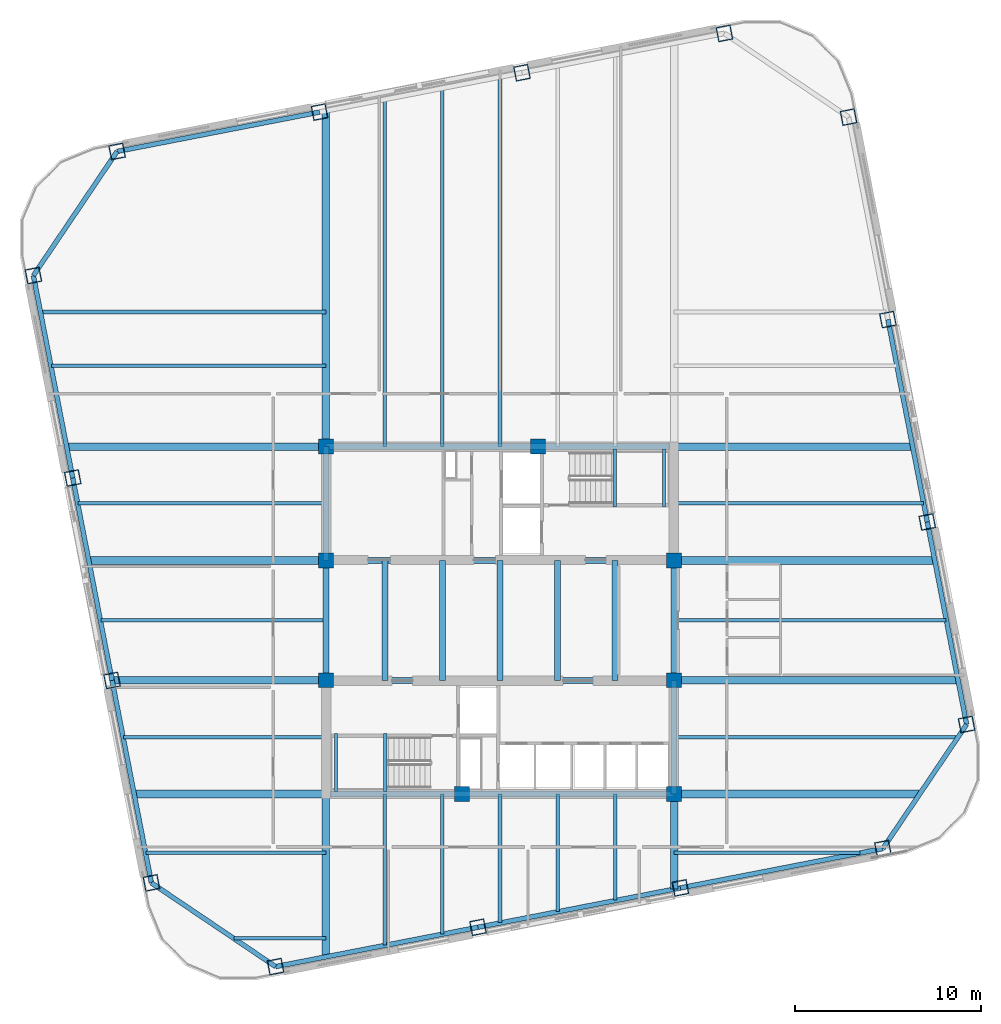
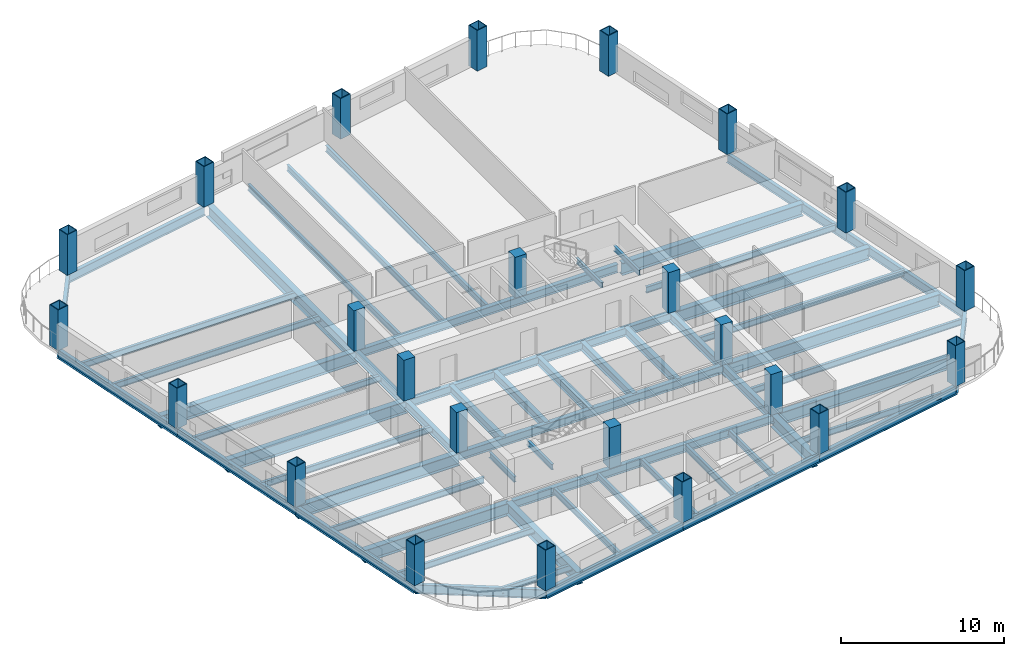
# One storey, part 1 of 9: 59 beams, 24 columns.
"""IFC4 building model written with IfcOpenShell, lengths in metres."""

from ifc_helpers import new_model, si_unit, direction, frame, origin, origin_2d, place, context, subcontext, project, spatial, rectangle, hollow_rectangle, i_section, extrude, material, material_profile, profile_set, type_object, element, save


model = new_model("IFC4")

# Units and contexts
model_context = context("Model", 3, precision=1e-05, world=origin(), true_north=direction((0.0, 1.0)))
body_context = subcontext(model_context, "Body", "Model", "MODEL_VIEW")
ifc_project = project(units=[si_unit("LENGTHUNIT", "METRE"), si_unit("AREAUNIT", "SQUARE_METRE"), si_unit("VOLUMEUNIT", "CUBIC_METRE"), si_unit("PLANEANGLEUNIT", "RADIAN"), si_unit("MASSUNIT", "GRAM", prefix="KILO")], contexts=[model_context])

# Site, building, storey
site_placement = place(None, origin())
site = spatial("IfcSite", under=ifc_project, at=site_placement, CompositionType="ELEMENT")
building_placement = place(site_placement, origin())
building = spatial("IfcBuilding", under=site, at=building_placement, Name="Qhalaya Broadcast Tower", CompositionType="ELEMENT")
storey_placement = place(building_placement, frame((0.0, 0.0, 134.14990234375)))
storey = spatial("IfcBuildingStorey", under=building, at=storey_placement, Name="L39", CompositionType="ELEMENT", Elevation=134.14990234375)

# Columns
ifc_material_1 = material(Name="Concrete C50/60", Category="concrete")
ifc_material_profile_1 = material_profile(ifc_material_1, rectangle(XDim=0.800048828125, YDim=0.800048828125, at=origin_2d()), Name="RC-COL 800x800")
ifc_profile_set_1 = profile_set([ifc_material_profile_1], Name="Concrete C50/60")
column_type_1 = type_object("IfcColumnType", Name="RC Upper Column C10", PredefinedType="COLUMN", material=ifc_profile_set_1)
for number, where, z_axis, x_axis, name in (
    (1, (-9.375, 9.949951171875, 0.0), (0.0, 0.0, 1.0), (1.0, 0.0, 0.0), "L39 Column COL-CC1"),
    (2, (2.050048828125, 9.949951171875, 0.0), (0.0, 0.0, 1.0), (1.0, 0.0, 0.0), "L39 Column COL-CC2"),
    (3, (-9.375, 3.824951171875, 0.0), (0.0, 0.0, 1.0), (1.0, 0.0, 0.0), "L39 Column COL-CC3"),
    (4, (9.375, 3.824951171875, 0.0), (0.0, 0.0, 1.0), (1.0, 0.0, 0.0), "L39 Column COL-CC4"),
    (5, (-9.375, -2.625, 0.0), (0.0, 0.0, 1.0), (1.0, 0.0, 0.0), "L39 Column COL-CC5"),
    (6, (9.375, -2.625, 0.0), (0.0, 0.0, 1.0), (1.0, 0.0, 0.0), "L39 Column COL-CC6"),
    (7, (-2.050048828125, -8.75, 0.0), (0.0, 0.0, 1.0), (1.0, 0.0, 0.0), "L39 Column COL-CC7"),
    (8, (9.375, -8.75, 0.0), (0.0, 0.0, 1.0), (1.0, 0.0, 0.0), "L39 Column COL-CC8"),
):
    element("IfcColumn", number, at=place(storey_placement, frame(where, z_axis=z_axis, x_axis=x_axis)), inside=storey, type_object=column_type_1, Name=name, PredefinedType="COLUMN", context=body_context, shape_type="SweptSolid", body=[
        extrude(rectangle(XDim=0.800048828125, YDim=0.800048828125, at=origin_2d()), origin(), (0.0, 0.0, 1.0), 3.050048828125),
    ])
ifc_material_2 = material(Name="Structural Steel ASTM A572 Grade 50", Category="steel")
ifc_material_profile_2 = material_profile(ifc_material_2, hollow_rectangle(XDim=0.800048828125, YDim=0.800048828125, WallThickness=0.050048828125, at=origin_2d()), Name="BOX 800x800x50")
ifc_profile_set_2 = profile_set([ifc_material_profile_2], Name="Structural Steel ASTM A572 Grade 50")
column_type_2 = type_object("IfcColumnType", Name="Steel Box Column C03", PredefinedType="COLUMN", material=ifc_profile_set_2)
for number, where, z_axis, x_axis, name in (
    (9, (-12.07958984375, -18.036376953125, 0.0), (0.0, 0.0, 1.0), (0.981627183448, 0.190808995377, 0.0), "L39 Column COL-EX01"),
    (10, (-1.183349609375, -15.91845703125, 0.0), (0.0, 0.0, 1.0), (0.981627183448, 0.190808995377, 0.0), "L39 Column COL-EX02"),
    (11, (9.712646484375, -13.80029296875, 0.0), (0.0, 0.0, 1.0), (0.981627183448, 0.190808995377, 0.0), "L39 Column COL-EX03"),
    (12, (20.608642578125, -11.682373046875, 0.0), (0.0, 0.0, 1.0), (0.981627183448, 0.190808995377, 0.0), "L39 Column COL-EX04"),
    (13, (25.1162109375, -4.99951171875, 0.0), (0.0, 0.0, 1.0), (-0.190808995377, 0.981627183448, 0.0), "L39 Column COL-EX05"),
    (14, (22.998291015625, 5.896484375, 0.0), (0.0, 0.0, 1.0), (-0.190808995377, 0.981627183448, 0.0), "L39 Column COL-EX06"),
    (15, (20.88037109375, 16.79248046875, 0.0), (0.0, 0.0, 1.0), (-0.190808995377, 0.981627183448, 0.0), "L39 Column COL-EX07"),
    (16, (18.762451171875, 27.688720703125, 0.0), (0.0, 0.0, 1.0), (-0.190808995377, 0.981627183448, 0.0), "L39 Column COL-EX08"),
    (17, (12.07958984375, 32.1962890625, 0.0), (0.0, 0.0, 1.0), (0.981627183448, 0.190808995377, 0.0), "L39 Column COL-EX09"),
    (18, (1.183349609375, 30.078369140625, 0.0), (0.0, 0.0, 1.0), (0.981627183448, 0.190808995377, 0.0), "L39 Column COL-EX10"),
    (19, (-9.712646484375, 27.96044921875, 0.0), (0.0, 0.0, 1.0), (0.981627183448, 0.190808995377, 0.0), "L39 Column COL-EX11"),
    (20, (-20.608642578125, 25.84228515625, 0.0), (0.0, 0.0, 1.0), (0.981627183448, 0.190808995377, 0.0), "L39 Column COL-EX12"),
    (21, (-25.1162109375, 19.159423828125, 0.0), (0.0, 0.0, 1.0), (-0.190808995377, 0.981627183448, 0.0), "L39 Column COL-EX13"),
    (22, (-22.998291015625, 8.263427734375, 0.0), (0.0, 0.0, 1.0), (-0.190808995377, 0.981627183448, 0.0), "L39 Column COL-EX14"),
    (23, (-20.88037109375, -2.632568359375, 0.0), (0.0, 0.0, 1.0), (-0.190808995377, 0.981627183448, 0.0), "L39 Column COL-EX15"),
    (24, (-18.762451171875, -13.52880859375, 0.0), (0.0, 0.0, 1.0), (-0.190808995377, 0.981627183448, 0.0), "L39 Column COL-EX16"),
):
    element("IfcColumn", number, at=place(storey_placement, frame(where, z_axis=z_axis, x_axis=x_axis)), inside=storey, type_object=column_type_2, Name=name, PredefinedType="COLUMN", context=body_context, shape_type="SweptSolid", body=[
        extrude(hollow_rectangle(XDim=0.800048828125, YDim=0.800048828125, WallThickness=0.050048828125, at=origin_2d()), origin(), (0.0, 0.0, 1.0), 3.050048828125),
    ])

# Beams
ifc_material_3 = material(Name="Structural Steel ASTM A992 Grade 50", Category="steel")
ifc_material_profile_3 = material_profile(ifc_material_3, i_section(OverallWidth=0.19189453125, OverallDepth=0.462890625, WebThickness=0.010498046875, FlangeThickness=0.017578125, at=origin_2d()), Name="W18X60")
ifc_profile_set_3 = profile_set([ifc_material_profile_3], Name="Structural Steel ASTM A992 Grade 50")
beam_type_1 = type_object("IfcBeamType", Name="Composite Floor Joist J03", PredefinedType="JOIST", material=ifc_profile_set_3)
beam_1_placement = place(storey_placement, frame((-6.199951171875, -16.873046875, -0.451416015625), z_axis=(0.0, 1.0, 0.0), x_axis=(-1.0, 0.0, 0.0)))
element("IfcBeam", 25, at=beam_1_placement, inside=storey, type_object=beam_type_1, Name="L39 J03 L39-JNS1-1", PredefinedType="JOIST", context=body_context, shape_type="SweptSolid", body=[
    extrude(i_section(OverallWidth=0.19189453125, OverallDepth=0.462890625, WebThickness=0.010498046875, FlangeThickness=0.017578125, at=origin_2d()), origin(), (0.0, 0.0, 1.0), 8.123046875),
])
beam_2_placement = place(storey_placement, frame((-6.199951171875, 9.949951171875, -0.451416015625), z_axis=(0.0, 1.0, 0.0), x_axis=(-1.0, 0.0, 0.0)))
element("IfcBeam", 26, at=beam_2_placement, inside=storey, type_object=beam_type_1, Name="L39 J03 L39-JNN1-1", PredefinedType="JOIST", context=body_context, shape_type="SweptSolid", body=[
    extrude(i_section(OverallWidth=0.19189453125, OverallDepth=0.462890625, WebThickness=0.010498046875, FlangeThickness=0.017578125, at=origin_2d()), origin(), (0.0, 0.0, 1.0), 18.6728515625),
])
beam_3_placement = place(storey_placement, frame((-3.10009765625, -16.2705078125, -0.451416015625), z_axis=(0.0, 1.0, 0.0), x_axis=(-1.0, 0.0, 0.0)))
element("IfcBeam", 27, at=beam_3_placement, inside=storey, type_object=beam_type_1, Name="L39 J03 L39-JNS2-1", PredefinedType="JOIST", context=body_context, shape_type="SweptSolid", body=[
    extrude(i_section(OverallWidth=0.19189453125, OverallDepth=0.462890625, WebThickness=0.010498046875, FlangeThickness=0.017578125, at=origin_2d()), origin(), (0.0, 0.0, 1.0), 7.5205078125),
])
beam_4_placement = place(storey_placement, frame((-3.10009765625, 9.949951171875, -0.451416015625), z_axis=(0.0, 1.0, 0.0), x_axis=(-1.0, 0.0, 0.0)))
element("IfcBeam", 28, at=beam_4_placement, inside=storey, type_object=beam_type_1, Name="L39 J03 L39-JNN2-1", PredefinedType="JOIST", context=body_context, shape_type="SweptSolid", body=[
    extrude(i_section(OverallWidth=0.19189453125, OverallDepth=0.462890625, WebThickness=0.010498046875, FlangeThickness=0.017578125, at=origin_2d()), origin(), (0.0, 0.0, 1.0), 19.275390625),
])
beam_5_placement = place(storey_placement, frame((0.0, -15.66796875, -0.451416015625), z_axis=(0.0, 1.0, 0.0), x_axis=(-1.0, 0.0, 0.0)))
element("IfcBeam", 29, at=beam_5_placement, inside=storey, type_object=beam_type_1, Name="L39 J03 L39-JNS3-1", PredefinedType="JOIST", context=body_context, shape_type="SweptSolid", body=[
    extrude(i_section(OverallWidth=0.19189453125, OverallDepth=0.462890625, WebThickness=0.010498046875, FlangeThickness=0.017578125, at=origin_2d()), origin(), (0.0, 0.0, 1.0), 6.91796875),
])
beam_6_placement = place(storey_placement, frame((0.0, 9.949951171875, -0.451416015625), z_axis=(0.0, 1.0, 0.0), x_axis=(-1.0, 0.0, 0.0)))
element("IfcBeam", 30, at=beam_6_placement, inside=storey, type_object=beam_type_1, Name="L39 J03 L39-JNN3-1", PredefinedType="JOIST", context=body_context, shape_type="SweptSolid", body=[
    extrude(i_section(OverallWidth=0.19189453125, OverallDepth=0.462890625, WebThickness=0.010498046875, FlangeThickness=0.017578125, at=origin_2d()), origin(), (0.0, 0.0, 1.0), 19.8779296875),
])
beam_7_placement = place(storey_placement, frame((3.10009765625, -15.0654296875, -0.451416015625), z_axis=(0.0, 1.0, 0.0), x_axis=(-1.0, 0.0, 0.0)))
element("IfcBeam", 31, at=beam_7_placement, inside=storey, type_object=beam_type_1, Name="L39 J03 L39-JNS4-1", PredefinedType="JOIST", context=body_context, shape_type="SweptSolid", body=[
    extrude(i_section(OverallWidth=0.19189453125, OverallDepth=0.462890625, WebThickness=0.010498046875, FlangeThickness=0.017578125, at=origin_2d()), origin(), (0.0, 0.0, 1.0), 6.3154296875),
])
beam_8_placement = place(storey_placement, frame((6.199951171875, -14.462890625, -0.451416015625), z_axis=(0.0, 1.0, 0.0), x_axis=(-1.0, 0.0, 0.0)))
element("IfcBeam", 32, at=beam_8_placement, inside=storey, type_object=beam_type_1, Name="L39 J03 L39-JNS5-1", PredefinedType="JOIST", context=body_context, shape_type="SweptSolid", body=[
    extrude(i_section(OverallWidth=0.19189453125, OverallDepth=0.462890625, WebThickness=0.010498046875, FlangeThickness=0.017578125, at=origin_2d()), origin(), (0.0, 0.0, 1.0), 5.712890625),
])
beam_9_placement = place(storey_placement, frame((-14.3212890625, -16.5, -0.451416015625), z_axis=(1.0, 0.0, 0.0), x_axis=(0.0, 1.0, 0.0)))
element("IfcBeam", 33, at=beam_9_placement, inside=storey, type_object=beam_type_1, Name="L39 J03 L39-JWE1W-1", PredefinedType="JOIST", context=body_context, shape_type="SweptSolid", body=[
    extrude(i_section(OverallWidth=0.19189453125, OverallDepth=0.462890625, WebThickness=0.010498046875, FlangeThickness=0.017578125, at=origin_2d()), origin(), (0.0, 0.0, 1.0), 4.9462890625),
])
beam_10_placement = place(storey_placement, frame((-19.05859375, -11.89990234375, -0.451416015625), z_axis=(1.0, 0.0, 0.0), x_axis=(0.0, 1.0, 0.0)))
element("IfcBeam", 34, at=beam_10_placement, inside=storey, type_object=beam_type_1, Name="L39 J03 L39-JWE2W-1", PredefinedType="JOIST", context=body_context, shape_type="SweptSolid", body=[
    extrude(i_section(OverallWidth=0.19189453125, OverallDepth=0.462890625, WebThickness=0.010498046875, FlangeThickness=0.017578125, at=origin_2d()), origin(), (0.0, 0.0, 1.0), 9.68359375),
])
beam_11_placement = place(storey_placement, frame((9.375, -11.89990234375, -0.451416015625), z_axis=(1.0, 0.0, 0.0), x_axis=(0.0, 1.0, 0.0)))
element("IfcBeam", 35, at=beam_11_placement, inside=storey, type_object=beam_type_1, Name="L39 J03 L39-JWE2E-1", PredefinedType="JOIST", context=body_context, shape_type="SweptSolid", body=[
    extrude(i_section(OverallWidth=0.19189453125, OverallDepth=0.462890625, WebThickness=0.010498046875, FlangeThickness=0.017578125, at=origin_2d()), origin(), (0.0, 0.0, 1.0), 10.009521484375),
])
beam_12_placement = place(storey_placement, frame((-20.263916015625, -5.699951171875, -0.451416015625), z_axis=(1.0, 0.0, 0.0), x_axis=(0.0, 1.0, 0.0)))
element("IfcBeam", 36, at=beam_12_placement, inside=storey, type_object=beam_type_1, Name="L39 J03 L39-JWE3W-1", PredefinedType="JOIST", context=body_context, shape_type="SweptSolid", body=[
    extrude(i_section(OverallWidth=0.19189453125, OverallDepth=0.462890625, WebThickness=0.010498046875, FlangeThickness=0.017578125, at=origin_2d()), origin(), (0.0, 0.0, 1.0), 10.888916015625),
])
beam_13_placement = place(storey_placement, frame((9.375, -5.699951171875, -0.451416015625), z_axis=(1.0, 0.0, 0.0), x_axis=(0.0, 1.0, 0.0)))
element("IfcBeam", 37, at=beam_13_placement, inside=storey, type_object=beam_type_1, Name="L39 J03 L39-JWE3E-1", PredefinedType="JOIST", context=body_context, shape_type="SweptSolid", body=[
    extrude(i_section(OverallWidth=0.19189453125, OverallDepth=0.462890625, WebThickness=0.010498046875, FlangeThickness=0.017578125, at=origin_2d()), origin(), (0.0, 0.0, 1.0), 15.24462890625),
])
beam_14_placement = place(storey_placement, frame((-21.48828125, 0.60009765625, -0.451416015625), z_axis=(1.0, 0.0, 0.0), x_axis=(0.0, 1.0, 0.0)))
element("IfcBeam", 38, at=beam_14_placement, inside=storey, type_object=beam_type_1, Name="L39 J03 L39-JWE4W-1", PredefinedType="JOIST", context=body_context, shape_type="SweptSolid", body=[
    extrude(i_section(OverallWidth=0.19189453125, OverallDepth=0.462890625, WebThickness=0.010498046875, FlangeThickness=0.017578125, at=origin_2d()), origin(), (0.0, 0.0, 1.0), 12.11328125),
])
beam_15_placement = place(storey_placement, frame((9.375, 0.60009765625, -0.451416015625), z_axis=(1.0, 0.0, 0.0), x_axis=(0.0, 1.0, 0.0)))
element("IfcBeam", 39, at=beam_15_placement, inside=storey, type_object=beam_type_1, Name="L39 J03 L39-JWE4E-1", PredefinedType="JOIST", context=body_context, shape_type="SweptSolid", body=[
    extrude(i_section(OverallWidth=0.19189453125, OverallDepth=0.462890625, WebThickness=0.010498046875, FlangeThickness=0.017578125, at=origin_2d()), origin(), (0.0, 0.0, 1.0), 14.632568359375),
])
beam_16_placement = place(storey_placement, frame((-22.712890625, 6.89990234375, -0.451416015625), z_axis=(1.0, 0.0, 0.0), x_axis=(0.0, 1.0, 0.0)))
element("IfcBeam", 40, at=beam_16_placement, inside=storey, type_object=beam_type_1, Name="L39 J03 L39-JWE5W-1", PredefinedType="JOIST", context=body_context, shape_type="SweptSolid", body=[
    extrude(i_section(OverallWidth=0.19189453125, OverallDepth=0.462890625, WebThickness=0.010498046875, FlangeThickness=0.017578125, at=origin_2d()), origin(), (0.0, 0.0, 1.0), 13.337890625),
])
beam_17_placement = place(storey_placement, frame((9.375, 6.89990234375, -0.451416015625), z_axis=(1.0, 0.0, 0.0), x_axis=(0.0, 1.0, 0.0)))
element("IfcBeam", 41, at=beam_17_placement, inside=storey, type_object=beam_type_1, Name="L39 J03 L39-JWE5E-1", PredefinedType="JOIST", context=body_context, shape_type="SweptSolid", body=[
    extrude(i_section(OverallWidth=0.19189453125, OverallDepth=0.462890625, WebThickness=0.010498046875, FlangeThickness=0.017578125, at=origin_2d()), origin(), (0.0, 0.0, 1.0), 13.407958984375),
])
beam_18_placement = place(storey_placement, frame((-24.1513671875, 14.300048828125, -0.451416015625), z_axis=(1.0, 0.0, 0.0), x_axis=(0.0, 1.0, 0.0)))
element("IfcBeam", 42, at=beam_18_placement, inside=storey, type_object=beam_type_1, Name="L39 J03 L39-JWE6W-1", PredefinedType="JOIST", context=body_context, shape_type="SweptSolid", body=[
    extrude(i_section(OverallWidth=0.19189453125, OverallDepth=0.462890625, WebThickness=0.010498046875, FlangeThickness=0.017578125, at=origin_2d()), origin(), (0.0, 0.0, 1.0), 14.7763671875),
])
beam_19_placement = place(storey_placement, frame((-24.715087890625, 17.199951171875, -0.451416015625), z_axis=(1.0, 0.0, 0.0), x_axis=(0.0, 1.0, 0.0)))
element("IfcBeam", 43, at=beam_19_placement, inside=storey, type_object=beam_type_1, Name="L39 J03 L39-JWE7W-1", PredefinedType="JOIST", context=body_context, shape_type="SweptSolid", body=[
    extrude(i_section(OverallWidth=0.19189453125, OverallDepth=0.462890625, WebThickness=0.010498046875, FlangeThickness=0.017578125, at=origin_2d()), origin(), (0.0, 0.0, 1.0), 15.340087890625),
])
ifc_material_profile_4 = material_profile(ifc_material_3, i_section(OverallWidth=0.323974609375, OverallDepth=0.612060546875, WebThickness=0.0126953125, FlangeThickness=0.01904296875, at=origin_2d()), Name="W24X104")
ifc_profile_set_4 = profile_set([ifc_material_profile_4], Name="Structural Steel ASTM A992 Grade 50")
beam_type_2 = type_object("IfcBeamType", Name="Core Frame Tie Beam B04", PredefinedType="BEAM", material=ifc_profile_set_4)
beam_20_placement = place(storey_placement, frame((-9.375, 3.824951171875, -0.52587890625), z_axis=(1.0, 0.0, 0.0), x_axis=(0.0, 1.0, 0.0)))
element("IfcBeam", 44, at=beam_20_placement, inside=storey, type_object=beam_type_2, Name="L39 B04 L39-CCN1", PredefinedType="BEAM", context=body_context, shape_type="SweptSolid", body=[
    extrude(i_section(OverallWidth=0.323974609375, OverallDepth=0.612060546875, WebThickness=0.0126953125, FlangeThickness=0.01904296875, at=origin_2d()), origin(), (0.0, 0.0, 1.0), 18.75),
])
beam_21_placement = place(storey_placement, frame((-9.375, 3.824951171875, -0.52587890625), z_axis=(0.0, 1.0, 0.0), x_axis=(-1.0, 0.0, 0.0)))
element("IfcBeam", 45, at=beam_21_placement, inside=storey, type_object=beam_type_2, Name="L39 B04 L39-CCN2", PredefinedType="BEAM", context=body_context, shape_type="SweptSolid", body=[
    extrude(i_section(OverallWidth=0.323974609375, OverallDepth=0.612060546875, WebThickness=0.0126953125, FlangeThickness=0.01904296875, at=origin_2d()), origin(), (0.0, 0.0, 1.0), 6.125),
])
beam_22_placement = place(storey_placement, frame((-9.375, 9.949951171875, -0.52587890625), z_axis=(1.0, 0.0, 0.0), x_axis=(0.0, 1.0, 0.0)))
element("IfcBeam", 46, at=beam_22_placement, inside=storey, type_object=beam_type_2, Name="L39 B04 L39-CCN3", PredefinedType="BEAM", context=body_context, shape_type="SweptSolid", body=[
    extrude(i_section(OverallWidth=0.323974609375, OverallDepth=0.612060546875, WebThickness=0.0126953125, FlangeThickness=0.01904296875, at=origin_2d()), origin(), (0.0, 0.0, 1.0), 18.4951171875),
])
beam_23_placement = place(storey_placement, frame((-9.375, -2.625, -0.52587890625), z_axis=(1.0, 0.0, 0.0), x_axis=(0.0, 1.0, 0.0)))
element("IfcBeam", 47, at=beam_23_placement, inside=storey, type_object=beam_type_2, Name="L39 B04 L39-CCS1", PredefinedType="BEAM", context=body_context, shape_type="SweptSolid", body=[
    extrude(i_section(OverallWidth=0.323974609375, OverallDepth=0.612060546875, WebThickness=0.0126953125, FlangeThickness=0.01904296875, at=origin_2d()), origin(), (0.0, 0.0, 1.0), 18.75),
])
beam_24_placement = place(storey_placement, frame((9.375, -8.75, -0.52587890625), z_axis=(0.0, 1.0, 0.0), x_axis=(-1.0, 0.0, 0.0)))
element("IfcBeam", 48, at=beam_24_placement, inside=storey, type_object=beam_type_2, Name="L39 B04 L39-CCS2", PredefinedType="BEAM", context=body_context, shape_type="SweptSolid", body=[
    extrude(i_section(OverallWidth=0.323974609375, OverallDepth=0.612060546875, WebThickness=0.0126953125, FlangeThickness=0.01904296875, at=origin_2d()), origin(), (0.0, 0.0, 1.0), 6.125),
])
beam_25_placement = place(storey_placement, frame((-9.1201171875, -8.75, -0.52587890625), z_axis=(1.0, 0.0, 0.0), x_axis=(0.0, 1.0, 0.0)))
element("IfcBeam", 49, at=beam_25_placement, inside=storey, type_object=beam_type_2, Name="L39 B04 L39-CCS3", PredefinedType="BEAM", context=body_context, shape_type="SweptSolid", body=[
    extrude(i_section(OverallWidth=0.323974609375, OverallDepth=0.612060546875, WebThickness=0.0126953125, FlangeThickness=0.01904296875, at=origin_2d()), origin(), (0.0, 0.0, 1.0), 18.4951171875),
])
for number, where, z_axis, x_axis, name in (
    (50, (-9.375, -2.625, -0.52587890625), (0.0, 1.0, 0.0), (-1.0, 0.0, 0.0), "L39 B04 L39-CCW"),
    (51, (9.375, -2.625, -0.52587890625), (0.0, 1.0, 0.0), (-1.0, 0.0, 0.0), "L39 B04 L39-CCE"),
    (52, (-6.199951171875, -2.625, -0.52587890625), (0.0, 1.0, 0.0), (-1.0, 0.0, 0.0), "L39 B04 L39-JC1-1"),
    (53, (-3.10009765625, -2.625, -0.52587890625), (0.0, 1.0, 0.0), (-1.0, 0.0, 0.0), "L39 B04 L39-JC2-1"),
    (54, (0.0, -2.625, -0.52587890625), (0.0, 1.0, 0.0), (-1.0, 0.0, 0.0), "L39 B04 L39-JC3-1"),
    (55, (3.10009765625, -2.625, -0.52587890625), (0.0, 1.0, 0.0), (-1.0, 0.0, 0.0), "L39 B04 L39-JC4-1"),
    (56, (6.199951171875, -2.625, -0.52587890625), (0.0, 1.0, 0.0), (-1.0, 0.0, 0.0), "L39 B04 L39-JC5-1"),
):
    element("IfcBeam", number, at=place(storey_placement, frame(where, z_axis=z_axis, x_axis=x_axis)), inside=storey, type_object=beam_type_2, Name=name, PredefinedType="BEAM", context=body_context, shape_type="SweptSolid", body=[
        extrude(i_section(OverallWidth=0.323974609375, OverallDepth=0.612060546875, WebThickness=0.0126953125, FlangeThickness=0.01904296875, at=origin_2d()), origin(), (0.0, 0.0, 1.0), 6.449951171875),
    ])
ifc_material_profile_5 = material_profile(ifc_material_3, i_section(OverallWidth=0.4189453125, OverallDepth=0.927001953125, WebThickness=0.019287109375, FlangeThickness=0.031982421875, at=origin_2d()), Name="W36X231")
ifc_profile_set_5 = profile_set([ifc_material_profile_5], Name="Structural Steel ASTM A992 Grade 50")
beam_type_3 = type_object("IfcBeamType", Name="Mid Block Primary Girder PG3", PredefinedType="USERDEFINED", material=ifc_profile_set_5)
beam_26_placement = place(storey_placement, frame((-9.375, -17.490234375, -0.683349609375), z_axis=(0.0, 1.0, 0.0), x_axis=(-1.0, 0.0, 0.0)))
element("IfcBeam", 57, at=beam_26_placement, inside=storey, type_object=beam_type_3, Name="L39 PG3 L39-PGXS1-1", ObjectType="GIRDER", PredefinedType="USERDEFINED", context=body_context, shape_type="SweptSolid", body=[
    extrude(i_section(OverallWidth=0.4189453125, OverallDepth=0.927001953125, WebThickness=0.019287109375, FlangeThickness=0.031982421875, at=origin_2d()), origin(), (0.0, 0.0, 1.0), 8.740234375),
])
beam_27_placement = place(storey_placement, frame((-9.375, 9.949951171875, -0.683349609375), z_axis=(0.0, 1.0, 0.0), x_axis=(-1.0, 0.0, 0.0)))
element("IfcBeam", 58, at=beam_27_placement, inside=storey, type_object=beam_type_3, Name="L39 PG3 L39-PGXN1-1", ObjectType="GIRDER", PredefinedType="USERDEFINED", context=body_context, shape_type="SweptSolid", body=[
    extrude(i_section(OverallWidth=0.4189453125, OverallDepth=0.927001953125, WebThickness=0.019287109375, FlangeThickness=0.031982421875, at=origin_2d()), origin(), (0.0, 0.0, 1.0), 18.0556640625),
])
beam_28_placement = place(storey_placement, frame((9.375, -13.845703125, -0.683349609375), z_axis=(0.0, 1.0, 0.0), x_axis=(-1.0, 0.0, 0.0)))
element("IfcBeam", 59, at=beam_28_placement, inside=storey, type_object=beam_type_3, Name="L39 PG3 L39-PGXS2-1", ObjectType="GIRDER", PredefinedType="USERDEFINED", context=body_context, shape_type="SweptSolid", body=[
    extrude(i_section(OverallWidth=0.4189453125, OverallDepth=0.927001953125, WebThickness=0.019287109375, FlangeThickness=0.031982421875, at=origin_2d()), origin(), (0.0, 0.0, 1.0), 5.095703125),
])
beam_29_placement = place(storey_placement, frame((-19.6708984375, -8.75, -0.683349609375), z_axis=(1.0, 0.0, 0.0), x_axis=(0.0, 1.0, 0.0)))
element("IfcBeam", 60, at=beam_29_placement, inside=storey, type_object=beam_type_3, Name="L39 PG3 L39-PGYW1-1", ObjectType="GIRDER", PredefinedType="USERDEFINED", context=body_context, shape_type="SweptSolid", body=[
    extrude(i_section(OverallWidth=0.4189453125, OverallDepth=0.927001953125, WebThickness=0.019287109375, FlangeThickness=0.031982421875, at=origin_2d()), origin(), (0.0, 0.0, 1.0), 10.2958984375),
])
beam_30_placement = place(storey_placement, frame((9.375, -8.75, -0.683349609375), z_axis=(1.0, 0.0, 0.0), x_axis=(0.0, 1.0, 0.0)))
element("IfcBeam", 61, at=beam_30_placement, inside=storey, type_object=beam_type_3, Name="L39 PG3 L39-PGYE1-1", ObjectType="GIRDER", PredefinedType="USERDEFINED", context=body_context, shape_type="SweptSolid", body=[
    extrude(i_section(OverallWidth=0.4189453125, OverallDepth=0.927001953125, WebThickness=0.019287109375, FlangeThickness=0.031982421875, at=origin_2d()), origin(), (0.0, 0.0, 1.0), 13.1875),
])
beam_31_placement = place(storey_placement, frame((-20.861572265625, -2.625, -0.683349609375), z_axis=(1.0, 0.0, 0.0), x_axis=(0.0, 1.0, 0.0)))
element("IfcBeam", 62, at=beam_31_placement, inside=storey, type_object=beam_type_3, Name="L39 PG3 L39-PGYW2-1", ObjectType="GIRDER", PredefinedType="USERDEFINED", context=body_context, shape_type="SweptSolid", body=[
    extrude(i_section(OverallWidth=0.4189453125, OverallDepth=0.927001953125, WebThickness=0.019287109375, FlangeThickness=0.031982421875, at=origin_2d()), origin(), (0.0, 0.0, 1.0), 11.486572265625),
])
beam_32_placement = place(storey_placement, frame((9.375, -2.625, -0.683349609375), z_axis=(1.0, 0.0, 0.0), x_axis=(0.0, 1.0, 0.0)))
element("IfcBeam", 63, at=beam_32_placement, inside=storey, type_object=beam_type_3, Name="L39 PG3 L39-PGYE2-1", ObjectType="GIRDER", PredefinedType="USERDEFINED", context=body_context, shape_type="SweptSolid", body=[
    extrude(i_section(OverallWidth=0.4189453125, OverallDepth=0.927001953125, WebThickness=0.019287109375, FlangeThickness=0.031982421875, at=origin_2d()), origin(), (0.0, 0.0, 1.0), 15.259521484375),
])
beam_33_placement = place(storey_placement, frame((-22.115234375, 3.824951171875, -0.683349609375), z_axis=(1.0, 0.0, 0.0), x_axis=(0.0, 1.0, 0.0)))
element("IfcBeam", 64, at=beam_33_placement, inside=storey, type_object=beam_type_3, Name="L39 PG3 L39-PGYW3-1", ObjectType="GIRDER", PredefinedType="USERDEFINED", context=body_context, shape_type="SweptSolid", body=[
    extrude(i_section(OverallWidth=0.4189453125, OverallDepth=0.927001953125, WebThickness=0.019287109375, FlangeThickness=0.031982421875, at=origin_2d()), origin(), (0.0, 0.0, 1.0), 12.740234375),
])
beam_34_placement = place(storey_placement, frame((9.375, 3.824951171875, -0.683349609375), z_axis=(1.0, 0.0, 0.0), x_axis=(0.0, 1.0, 0.0)))
element("IfcBeam", 65, at=beam_34_placement, inside=storey, type_object=beam_type_3, Name="L39 PG3 L39-PGYE3-1", ObjectType="GIRDER", PredefinedType="USERDEFINED", context=body_context, shape_type="SweptSolid", body=[
    extrude(i_section(OverallWidth=0.4189453125, OverallDepth=0.927001953125, WebThickness=0.019287109375, FlangeThickness=0.031982421875, at=origin_2d()), origin(), (0.0, 0.0, 1.0), 14.005615234375),
])
beam_35_placement = place(storey_placement, frame((-23.305908203125, 9.949951171875, -0.683349609375), z_axis=(1.0, 0.0, 0.0), x_axis=(0.0, 1.0, 0.0)))
element("IfcBeam", 66, at=beam_35_placement, inside=storey, type_object=beam_type_3, Name="L39 PG3 L39-PGYW4-1", ObjectType="GIRDER", PredefinedType="USERDEFINED", context=body_context, shape_type="SweptSolid", body=[
    extrude(i_section(OverallWidth=0.4189453125, OverallDepth=0.927001953125, WebThickness=0.019287109375, FlangeThickness=0.031982421875, at=origin_2d()), origin(), (0.0, 0.0, 1.0), 13.930908203125),
])
beam_36_placement = place(storey_placement, frame((9.375, 9.949951171875, -0.683349609375), z_axis=(1.0, 0.0, 0.0), x_axis=(0.0, 1.0, 0.0)))
element("IfcBeam", 67, at=beam_36_placement, inside=storey, type_object=beam_type_3, Name="L39 PG3 L39-PGYE4-1", ObjectType="GIRDER", PredefinedType="USERDEFINED", context=body_context, shape_type="SweptSolid", body=[
    extrude(i_section(OverallWidth=0.4189453125, OverallDepth=0.927001953125, WebThickness=0.019287109375, FlangeThickness=0.031982421875, at=origin_2d()), origin(), (0.0, 0.0, 1.0), 12.815185546875),
])
ifc_material_profile_6 = material_profile(ifc_material_3, i_section(OverallWidth=0.25390625, OverallDepth=0.68310546875, WebThickness=0.012451171875, FlangeThickness=0.01904296875, at=origin_2d()), Name="W27X94")
ifc_profile_set_6 = profile_set([ifc_material_profile_6], Name="Structural Steel ASTM A992 Grade 50")
beam_type_4 = type_object("IfcBeamType", Name="Perimeter Ring Spandrel Beam SP1", PredefinedType="SPANDREL", material=ifc_profile_set_6)
beam_37_placement = place(storey_placement, frame((-12.07958984375, -18.036376953125, -0.5615234375), z_axis=(0.98162878008, 0.190800781233, 0.0), x_axis=(-0.190800781233, 0.98162878008, 0.0)))
element("IfcBeam", 68, at=beam_37_placement, inside=storey, type_object=beam_type_4, Name="L39 SP1 L39-SPR-01", PredefinedType="SPANDREL", context=body_context, shape_type="SweptSolid", body=[
    extrude(i_section(OverallWidth=0.25390625, OverallDepth=0.68310546875, WebThickness=0.012451171875, FlangeThickness=0.01904296875, at=origin_2d()), origin(), (0.0, 0.0, 1.0), 11.10009765625),
])
for number, where, z_axis, x_axis, name in (
    (69, (-1.183349609375, -15.91845703125, -0.5615234375), (0.981623859527, 0.190826094673, 0.0), (-0.190826094673, 0.981623859527, 0.0), "L39 SP1 L39-SPR-02"),
    (70, (9.712646484375, -13.80029296875, -0.5615234375), (0.981627979352, 0.190804900759, 0.0), (-0.190804900759, 0.981627979352, 0.0), "L39 SP1 L39-SPR-03"),
):
    element("IfcBeam", number, at=place(storey_placement, frame(where, z_axis=z_axis, x_axis=x_axis)), inside=storey, type_object=beam_type_4, Name=name, PredefinedType="SPANDREL", context=body_context, shape_type="SweptSolid", body=[
        extrude(i_section(OverallWidth=0.25390625, OverallDepth=0.68310546875, WebThickness=0.012451171875, FlangeThickness=0.01904296875, at=origin_2d()), origin(), (0.0, 0.0, 1.0), 11.099853515625),
    ])
beam_38_placement = place(storey_placement, frame((20.608642578125, -11.682373046875, -0.5615234375), z_axis=(0.559186208288, 0.829042088473, 0.0), x_axis=(-0.829042088473, 0.559186208288, 0.0)))
element("IfcBeam", 71, at=beam_38_placement, inside=storey, type_object=beam_type_4, Name="L39 SP1 L39-SPR-04", PredefinedType="SPANDREL", context=body_context, shape_type="SweptSolid", body=[
    extrude(i_section(OverallWidth=0.25390625, OverallDepth=0.68310546875, WebThickness=0.012451171875, FlangeThickness=0.01904296875, at=origin_2d()), origin(), (0.0, 0.0, 1.0), 8.06103515625),
])
for number, where, z_axis, x_axis, name in (
    (72, (25.1162109375, -4.99951171875, -0.5615234375), (-0.190804900759, 0.981627979352, 0.0), (-0.981627979352, -0.190804900759, 0.0), "L39 SP1 L39-SPR-05"),
    (73, (22.998291015625, 5.896484375, -0.5615234375), (-0.190804900759, 0.981627979352, 0.0), (-0.981627979352, -0.190804900759, 0.0), "L39 SP1 L39-SPR-06"),
    (74, (-9.712646484375, 27.96044921875, -0.5615234375), (-0.981623859527, -0.190826094673, 0.0), (0.190826094673, -0.981623859527, 0.0), "L39 SP1 L39-SPR-11"),
):
    element("IfcBeam", number, at=place(storey_placement, frame(where, z_axis=z_axis, x_axis=x_axis)), inside=storey, type_object=beam_type_4, Name=name, PredefinedType="SPANDREL", context=body_context, shape_type="SweptSolid", body=[
        extrude(i_section(OverallWidth=0.25390625, OverallDepth=0.68310546875, WebThickness=0.012451171875, FlangeThickness=0.01904296875, at=origin_2d()), origin(), (0.0, 0.0, 1.0), 11.099853515625),
    ])
beam_39_placement = place(storey_placement, frame((-20.608642578125, 25.84228515625, -0.5615234375), z_axis=(-0.559186208288, -0.829042088473, 0.0), x_axis=(0.829042088473, -0.559186208288, 0.0)))
element("IfcBeam", 75, at=beam_39_placement, inside=storey, type_object=beam_type_4, Name="L39 SP1 L39-SPR-12", PredefinedType="SPANDREL", context=body_context, shape_type="SweptSolid", body=[
    extrude(i_section(OverallWidth=0.25390625, OverallDepth=0.68310546875, WebThickness=0.012451171875, FlangeThickness=0.01904296875, at=origin_2d()), origin(), (0.0, 0.0, 1.0), 8.06103515625),
])
for number, where, z_axis, x_axis, name in (
    (76, (-25.1162109375, 19.159423828125, -0.5615234375), (0.190804900759, -0.981627979352, 0.0), (0.981627979352, 0.190804900759, 0.0), "L39 SP1 L39-SPR-13"),
    (77, (-22.998291015625, 8.263427734375, -0.5615234375), (0.190804900759, -0.981627979352, 0.0), (0.981627979352, 0.190804900759, 0.0), "L39 SP1 L39-SPR-14"),
):
    element("IfcBeam", number, at=place(storey_placement, frame(where, z_axis=z_axis, x_axis=x_axis)), inside=storey, type_object=beam_type_4, Name=name, PredefinedType="SPANDREL", context=body_context, shape_type="SweptSolid", body=[
        extrude(i_section(OverallWidth=0.25390625, OverallDepth=0.68310546875, WebThickness=0.012451171875, FlangeThickness=0.01904296875, at=origin_2d()), origin(), (0.0, 0.0, 1.0), 11.099853515625),
    ])
beam_40_placement = place(storey_placement, frame((-20.88037109375, -2.632568359375, -0.5615234375), z_axis=(0.190800781233, -0.98162878008, 0.0), x_axis=(0.98162878008, 0.190800781233, 0.0)))
element("IfcBeam", 78, at=beam_40_placement, inside=storey, type_object=beam_type_4, Name="L39 SP1 L39-SPR-15", PredefinedType="SPANDREL", context=body_context, shape_type="SweptSolid", body=[
    extrude(i_section(OverallWidth=0.25390625, OverallDepth=0.68310546875, WebThickness=0.012451171875, FlangeThickness=0.01904296875, at=origin_2d()), origin(), (0.0, 0.0, 1.0), 11.10009765625),
])
beam_41_placement = place(storey_placement, frame((-18.762451171875, -13.52880859375, -0.5615234375), z_axis=(0.829042088473, -0.559186208288, 0.0), x_axis=(0.559186208288, 0.829042088473, 0.0)))
element("IfcBeam", 79, at=beam_41_placement, inside=storey, type_object=beam_type_4, Name="L39 SP1 L39-SPR-16", PredefinedType="SPANDREL", context=body_context, shape_type="SweptSolid", body=[
    extrude(i_section(OverallWidth=0.25390625, OverallDepth=0.68310546875, WebThickness=0.012451171875, FlangeThickness=0.01904296875, at=origin_2d()), origin(), (0.0, 0.0, 1.0), 8.06103515625),
])
ifc_material_profile_7 = material_profile(ifc_material_3, i_section(OverallWidth=0.177978515625, OverallDepth=0.406005859375, WebThickness=0.0078125, FlangeThickness=0.0126953125, at=origin_2d()), Name="W16X40")
ifc_profile_set_7 = profile_set([ifc_material_profile_7], Name="Structural Steel ASTM A992 Grade 50")
beam_type_5 = type_object("IfcBeamType", Name="Upper Perimeter Spandrel Beam SP2", PredefinedType="SPANDREL", material=ifc_profile_set_7)
for number, where, z_axis, x_axis, name in (
    (80, (6.175048828125, 6.699951171875, 1.1220703125), (0.0, 1.0, 0.0), (-1.0, 0.0, 0.0), "L39 ST-1 Half-Landing Bearer Beam 1"),
    (81, (8.830078125, 6.699951171875, 1.1220703125), (0.0, 1.0, 0.0), (-1.0, 0.0, 0.0), "L39 ST-1 Half-Landing Bearer Beam 2"),
    (82, (-8.830078125, -8.6201171875, 1.1220703125), (0.0, 1.0, 0.0), (-1.0, 0.0, 0.0), "L39 ST-2 Half-Landing Bearer Beam 1"),
    (83, (-6.175048828125, -8.6201171875, 1.1220703125), (0.0, 1.0, 0.0), (-1.0, 0.0, 0.0), "L39 ST-2 Half-Landing Bearer Beam 2"),
):
    element("IfcBeam", number, at=place(storey_placement, frame(where, z_axis=z_axis, x_axis=x_axis)), inside=storey, type_object=beam_type_5, Name=name, PredefinedType="SPANDREL", context=body_context, shape_type="SweptSolid", body=[
        extrude(i_section(OverallWidth=0.177978515625, OverallDepth=0.406005859375, WebThickness=0.0078125, FlangeThickness=0.0126953125, at=origin_2d()), origin(), (0.0, 0.0, 1.0), 3.1201171875),
    ])

save(model, "model.ifc")
